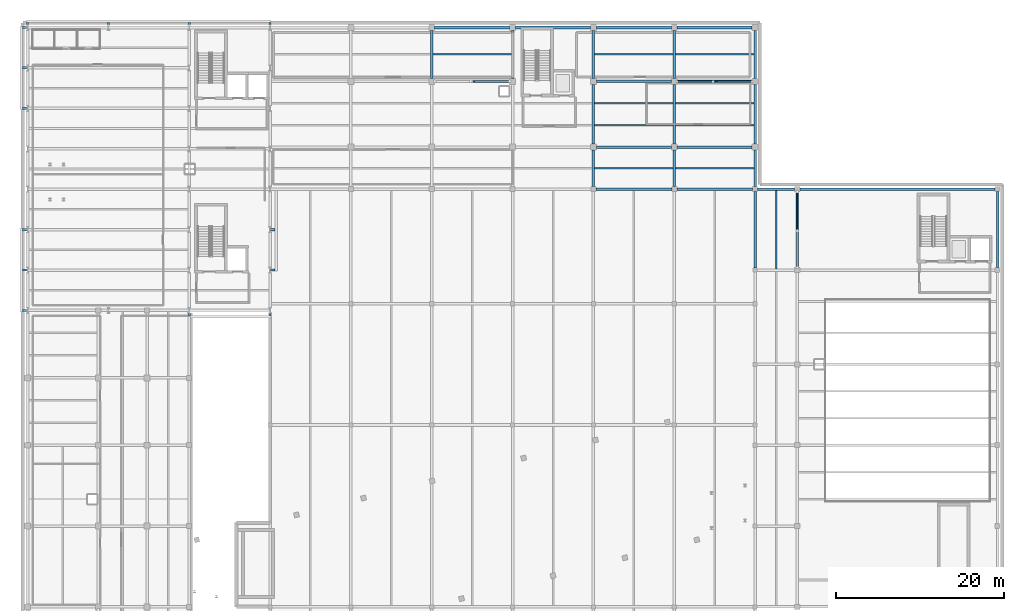
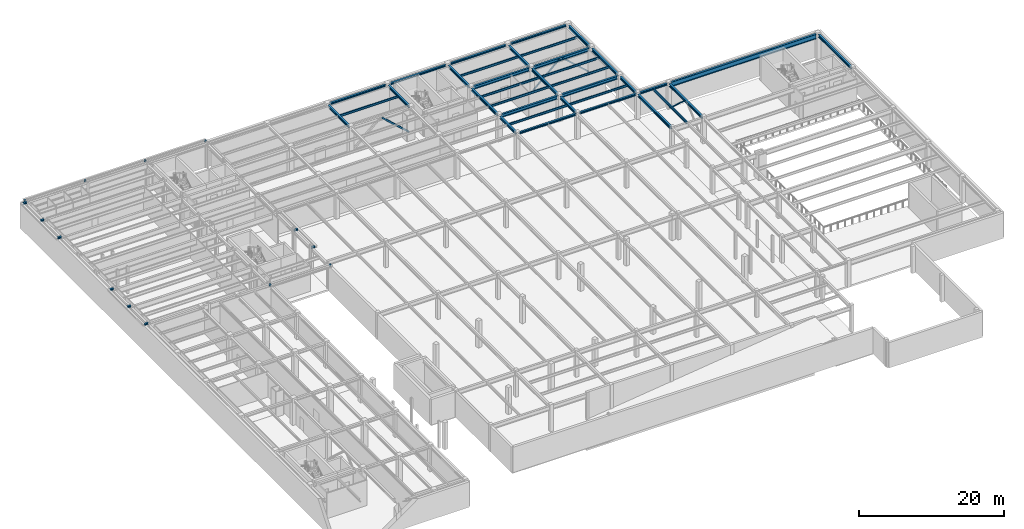
# One storey, part 14 of 32: 50 beams, 4 members.
"""IFC4 building model written with IfcOpenShell, lengths in metres."""

from ifc_helpers import new_model, si_unit, direction, frame, origin, origin_2d, place, context, subcontext, project, spatial, hollow_rectangle, hollow_circle, i_section, extrude, material, material_profile, profile_set, type_object, element, save


model = new_model("IFC4")

# Units and contexts
model_context = context("Model", 3, precision=1e-05, world=origin(), true_north=direction((0.0, 1.0)))
body_context = subcontext(model_context, "Body", "Model", "MODEL_VIEW")
ifc_project = project(units=[si_unit("LENGTHUNIT", "METRE"), si_unit("AREAUNIT", "SQUARE_METRE"), si_unit("VOLUMEUNIT", "CUBIC_METRE"), si_unit("PLANEANGLEUNIT", "RADIAN"), si_unit("MASSUNIT", "GRAM", prefix="KILO")], contexts=[model_context])

# Site, building, storey
site_placement = place(None, origin())
site = spatial("IfcSite", under=ifc_project, at=site_placement, CompositionType="ELEMENT")
building_placement = place(site_placement, origin())
building = spatial("IfcBuilding", under=site, at=building_placement, Name="Nordkorset Police Headquarters", CompositionType="ELEMENT")
storey_placement = place(building_placement, frame((0.0, 0.0, -4.550048828125)))
storey = spatial("IfcBuildingStorey", under=building, at=storey_placement, Name="B01", CompositionType="ELEMENT", Elevation=-4.550048828125)

# Beams
ifc_material_1 = material(Name="Steel S355J2", Category="steel")
ifc_material_profile_1 = material_profile(ifc_material_1, i_section(OverallWidth=0.169921875, OverallDepth=0.360107421875, WebThickness=0.008056640625, FlangeThickness=0.0126953125, FilletRadius=0.01806640625, at=origin_2d()), Name="IPE 360")
ifc_profile_set_1 = profile_set([ifc_material_profile_1], Name="Steel S355J2")
beam_type_1 = type_object("IfcBeamType", Name="Beam_IPE_360", PredefinedType="BEAM", material=ifc_profile_set_1)
beam_1_placement = place(storey_placement, frame((48.14990234375, 113.60009765625, 4.10009765625), z_axis=(1.0, 0.0, 0.0), x_axis=(0.0, 1.0, 0.0)))
element("IfcBeam", 1, at=beam_1_placement, inside=storey, type_object=beam_type_1, Name="Composite Floor Beam V2 B01 2-2-1", PredefinedType="BEAM", context=body_context, shape_type="SweptSolid", body=[
    extrude(i_section(OverallWidth=0.169921875, OverallDepth=0.360107421875, WebThickness=0.008056640625, FlangeThickness=0.0126953125, FilletRadius=0.01806640625, at=origin_2d()), origin(), (0.0, 0.0, 1.0), 9.300048828125),
])
for number, where, z_axis, x_axis, name in (
    (2, (67.35009765625, 100.10009765625, 4.10009765625), (1.0, 0.0, 0.0), (0.0, 1.0, 0.0), "Composite Floor Beam V2 B01 4-0-1"),
    (3, (67.35009765625, 105.199951171875, 4.10009765625), (1.0, 0.0, 0.0), (0.0, 1.0, 0.0), "Composite Floor Beam V2 B01 4-1-1"),
    (4, (67.35009765625, 107.800048828125, 4.10009765625), (1.0, 0.0, 0.0), (0.0, 1.0, 0.0), "Composite Floor Beam V2 B01 4-1-2"),
    (5, (67.35009765625, 113.60009765625, 4.10009765625), (1.0, 0.0, 0.0), (0.0, 1.0, 0.0), "Composite Floor Beam V2 B01 4-2-1"),
):
    element("IfcBeam", number, at=place(storey_placement, frame(where, z_axis=z_axis, x_axis=x_axis)), inside=storey, type_object=beam_type_1, Name=name, PredefinedType="BEAM", context=body_context, shape_type="SweptSolid", body=[
        extrude(i_section(OverallWidth=0.169921875, OverallDepth=0.360107421875, WebThickness=0.008056640625, FlangeThickness=0.0126953125, FilletRadius=0.01806640625, at=origin_2d()), origin(), (0.0, 0.0, 1.0), 9.2998046875),
    ])
for number, where, z_axis, x_axis, name in (
    (6, (76.949951171875, 100.10009765625, 4.10009765625), (1.0, 0.0, 0.0), (0.0, 1.0, 0.0), "Composite Floor Beam V2 B01 5-0-1"),
    (7, (76.949951171875, 105.199951171875, 4.10009765625), (1.0, 0.0, 0.0), (0.0, 1.0, 0.0), "Composite Floor Beam V2 B01 5-1-1"),
    (8, (76.949951171875, 107.800048828125, 4.10009765625), (1.0, 0.0, 0.0), (0.0, 1.0, 0.0), "Composite Floor Beam V2 B01 5-1-2"),
    (9, (76.949951171875, 113.60009765625, 4.10009765625), (1.0, 0.0, 0.0), (0.0, 1.0, 0.0), "Composite Floor Beam V2 B01 5-2-1"),
):
    element("IfcBeam", number, at=place(storey_placement, frame(where, z_axis=z_axis, x_axis=x_axis)), inside=storey, type_object=beam_type_1, Name=name, PredefinedType="BEAM", context=body_context, shape_type="SweptSolid", body=[
        extrude(i_section(OverallWidth=0.169921875, OverallDepth=0.360107421875, WebThickness=0.008056640625, FlangeThickness=0.0126953125, FilletRadius=0.01806640625, at=origin_2d()), origin(), (0.0, 0.0, 1.0), 9.300048828125),
    ])
ifc_material_2 = material(Name="Steel S355J2", Category="steel")
ifc_material_profile_2 = material_profile(ifc_material_2, i_section(OverallWidth=0.18994140625, OverallDepth=0.449951171875, WebThickness=0.009521484375, FlangeThickness=0.0146484375, FilletRadius=0.02099609375, at=origin_2d()), Name="IPE 450")
ifc_profile_set_2 = profile_set([ifc_material_profile_2], Name="Steel S355J2")
beam_type_2 = type_object("IfcBeamType", Name="Beam_IPE_450", PredefinedType="BEAM", material=ifc_profile_set_2)
beam_2_placement = place(storey_placement, frame((88.89990234375, 88.14990234375, 4.054931640625), z_axis=(0.0, 1.0, 0.0), x_axis=(-1.0, 0.0, 0.0)))
element("IfcBeam", 10, at=beam_2_placement, inside=storey, type_object=beam_type_2, Name="Composite Floor Beam V5 B01 0-4-1", PredefinedType="BEAM", context=body_context, shape_type="SweptSolid", body=[
    extrude(i_section(OverallWidth=0.18994140625, OverallDepth=0.449951171875, WebThickness=0.009521484375, FlangeThickness=0.0146484375, FilletRadius=0.02099609375, at=origin_2d()), origin(), (0.0, 0.0, 1.0), 9.300048828125),
])

# Members
ifc_material_3 = material(Name="Steel S355J2", Category="steel")
ifc_material_profile_3 = material_profile(ifc_material_3, hollow_circle(Radius=0.109619140625, WallThickness=0.010009765625, at=origin_2d()), Name="CHS 219.1x10")
ifc_profile_set_3 = profile_set([ifc_material_profile_3], Name="Steel S355J2")
member_type_1 = type_object("IfcMemberType", Name="Brace_CHS_219.1x10", PredefinedType="BRACE", material=ifc_profile_set_3)
member_1_placement = place(storey_placement, frame((91.39990234375, 97.300048828125, 0.199951171875), z_axis=(0.0, -0.745688620478, 0.66629459047), x_axis=(1.0, 0.0, 0.0)))
element("IfcMember", 11, at=member_1_placement, inside=storey, type_object=member_type_1, Name="Lateral Chevron Brace BF-V5-A B01 D2", PredefinedType="BRACE", context=body_context, shape_type="SweptSolid", body=[
    extrude(hollow_circle(Radius=0.109619140625, WallThickness=0.010009765625, at=origin_2d()), origin(), (0.0, 0.0, 1.0), 5.79345703125),
])
ifc_material_4 = material(Name="Steel S355J2", Category="steel")
ifc_material_profile_4 = material_profile(ifc_material_4, hollow_rectangle(XDim=0.199951171875, YDim=0.199951171875, WallThickness=0.010009765625, InnerFilletRadius=0.010009765625, OuterFilletRadius=0.02001953125, at=origin_2d()), Name="SHS 200x200x10")
ifc_profile_set_4 = profile_set([ifc_material_profile_4], Name="Steel S355J2")
member_type_2 = type_object("IfcMemberType", Name="Brace_SHS_200x200x10", PredefinedType="BRACE", material=ifc_profile_set_4)
for number, where, z_axis, x_axis, name in (
    (12, (77.14990234375, 110.39990234375, 0.199951171875), (0.741816057478, 0.0, 0.670603412509), (0.0, 1.0, 0.0), "Lateral Chevron Brace BF-V2-B B01 D1"),
    (13, (86.050048828125, 110.39990234375, 0.199951171875), (-0.741816057478, 0.0, 0.670603412509), (0.0, -1.0, 0.0), "Lateral Chevron Brace BF-V2-B B01 D2"),
):
    element("IfcMember", number, at=place(storey_placement, frame(where, z_axis=z_axis, x_axis=x_axis)), inside=storey, type_object=member_type_2, Name=name, PredefinedType="BRACE", context=body_context, shape_type="SweptSolid", body=[
        extrude(hollow_rectangle(XDim=0.199951171875, YDim=0.199951171875, WallThickness=0.010009765625, InnerFilletRadius=0.010009765625, OuterFilletRadius=0.02001953125, at=origin_2d()), origin(), (0.0, 0.0, 1.0), 5.756103515625),
    ])
ifc_material_5 = material(Name="Steel S355J2", Category="steel")
ifc_material_profile_5 = material_profile(ifc_material_5, hollow_rectangle(XDim=0.25, YDim=0.25, WallThickness=0.012451171875, InnerFilletRadius=0.012451171875, OuterFilletRadius=0.02490234375, at=origin_2d()), Name="SHS 250x250x12.5")
ifc_profile_set_5 = profile_set([ifc_material_profile_5], Name="Steel S355J2")
member_type_3 = type_object("IfcMemberType", Name="Brace_SHS_250x250x12.5", PredefinedType="BRACE", material=ifc_profile_set_5)
member_2_placement = place(storey_placement, frame((57.25, 110.39990234375, 0.199951171875), z_axis=(-0.741816057478, 0.0, 0.670603412509), x_axis=(0.0, -1.0, 0.0)))
element("IfcMember", 14, at=member_2_placement, inside=storey, type_object=member_type_3, Name="Lateral Chevron Brace BF-V2-A B01 D2", PredefinedType="BRACE", context=body_context, shape_type="SweptSolid", body=[
    extrude(hollow_rectangle(XDim=0.25, YDim=0.25, WallThickness=0.012451171875, InnerFilletRadius=0.012451171875, OuterFilletRadius=0.02490234375, at=origin_2d()), origin(), (0.0, 0.0, 1.0), 5.756103515625),
])

# Beams
ifc_material_6 = material(Name="Steel S355J2", Category="steel")
ifc_material_profile_6 = material_profile(ifc_material_6, i_section(OverallWidth=0.300048828125, OverallDepth=0.43994140625, WebThickness=0.011474609375, FlangeThickness=0.02099609375, FilletRadius=0.027099609375, at=origin_2d()), Name="HEA 450")
ifc_profile_set_6 = profile_set([ifc_material_profile_6], Name="Steel S355J2")
beam_type_3 = type_object("IfcBeamType", Name="Girder_HEA_450", PredefinedType="USERDEFINED", material=ifc_profile_set_6)
for number, where, z_axis, x_axis, name in (
    (15, (48.0, 110.75, 4.06005859375), (0.0, 1.0, 0.0), (-1.0, 0.0, 0.0), "Girder V2 B01 GY-2-2"),
    (16, (57.60009765625, 110.75, 4.06005859375), (0.0, 1.0, 0.0), (-1.0, 0.0, 0.0), "Girder V2 B01 GY-3-2"),
):
    element("IfcBeam", number, at=place(storey_placement, frame(where, z_axis=z_axis, x_axis=x_axis)), inside=storey, type_object=beam_type_3, Name=name, ObjectType="GIRDER", PredefinedType="USERDEFINED", context=body_context, shape_type="SweptSolid", body=[
        extrude(i_section(OverallWidth=0.300048828125, OverallDepth=0.43994140625, WebThickness=0.011474609375, FlangeThickness=0.02099609375, FilletRadius=0.027099609375, at=origin_2d()), origin(), (0.0, 0.0, 1.0), 5.699951171875),
    ])
beam_3_placement = place(storey_placement, frame((67.199951171875, 97.89990234375, 4.06005859375), z_axis=(0.0, 1.0, 0.0), x_axis=(-1.0, 0.0, 0.0)))
element("IfcBeam", 17, at=beam_3_placement, inside=storey, type_object=beam_type_3, Name="Girder V2 B01 GY-4-0", ObjectType="GIRDER", PredefinedType="USERDEFINED", context=body_context, shape_type="SweptSolid", body=[
    extrude(i_section(OverallWidth=0.300048828125, OverallDepth=0.43994140625, WebThickness=0.011474609375, FlangeThickness=0.02099609375, FilletRadius=0.027099609375, at=origin_2d()), origin(), (0.0, 0.0, 1.0), 4.35009765625),
])
beam_4_placement = place(storey_placement, frame((67.199951171875, 102.949951171875, 4.06005859375), z_axis=(0.0, 1.0, 0.0), x_axis=(-1.0, 0.0, 0.0)))
element("IfcBeam", 18, at=beam_4_placement, inside=storey, type_object=beam_type_3, Name="Girder V2 B01 GY-4-1", ObjectType="GIRDER", PredefinedType="USERDEFINED", context=body_context, shape_type="SweptSolid", body=[
    extrude(i_section(OverallWidth=0.300048828125, OverallDepth=0.43994140625, WebThickness=0.011474609375, FlangeThickness=0.02099609375, FilletRadius=0.027099609375, at=origin_2d()), origin(), (0.0, 0.0, 1.0), 7.10009765625),
])
beam_5_placement = place(storey_placement, frame((67.199951171875, 110.75, 4.06005859375), z_axis=(0.0, 1.0, 0.0), x_axis=(-1.0, 0.0, 0.0)))
element("IfcBeam", 19, at=beam_5_placement, inside=storey, type_object=beam_type_3, Name="Girder V2 B01 GY-4-2", ObjectType="GIRDER", PredefinedType="USERDEFINED", context=body_context, shape_type="SweptSolid", body=[
    extrude(i_section(OverallWidth=0.300048828125, OverallDepth=0.43994140625, WebThickness=0.011474609375, FlangeThickness=0.02099609375, FilletRadius=0.027099609375, at=origin_2d()), origin(), (0.0, 0.0, 1.0), 5.699951171875),
])
beam_6_placement = place(storey_placement, frame((76.800048828125, 97.89990234375, 4.06005859375), z_axis=(0.0, 1.0, 0.0), x_axis=(-1.0, 0.0, 0.0)))
element("IfcBeam", 20, at=beam_6_placement, inside=storey, type_object=beam_type_3, Name="Girder V2 B01 GY-5-0", ObjectType="GIRDER", PredefinedType="USERDEFINED", context=body_context, shape_type="SweptSolid", body=[
    extrude(i_section(OverallWidth=0.300048828125, OverallDepth=0.43994140625, WebThickness=0.011474609375, FlangeThickness=0.02099609375, FilletRadius=0.027099609375, at=origin_2d()), origin(), (0.0, 0.0, 1.0), 4.35009765625),
])
beam_7_placement = place(storey_placement, frame((76.800048828125, 102.949951171875, 4.06005859375), z_axis=(0.0, 1.0, 0.0), x_axis=(-1.0, 0.0, 0.0)))
element("IfcBeam", 21, at=beam_7_placement, inside=storey, type_object=beam_type_3, Name="Girder V2 B01 GY-5-1", ObjectType="GIRDER", PredefinedType="USERDEFINED", context=body_context, shape_type="SweptSolid", body=[
    extrude(i_section(OverallWidth=0.300048828125, OverallDepth=0.43994140625, WebThickness=0.011474609375, FlangeThickness=0.02099609375, FilletRadius=0.027099609375, at=origin_2d()), origin(), (0.0, 0.0, 1.0), 7.10009765625),
])
beam_8_placement = place(storey_placement, frame((76.800048828125, 110.75, 4.06005859375), z_axis=(0.0, 1.0, 0.0), x_axis=(-1.0, 0.0, 0.0)))
element("IfcBeam", 22, at=beam_8_placement, inside=storey, type_object=beam_type_3, Name="Girder V2 B01 GY-5-2", ObjectType="GIRDER", PredefinedType="USERDEFINED", context=body_context, shape_type="SweptSolid", body=[
    extrude(i_section(OverallWidth=0.300048828125, OverallDepth=0.43994140625, WebThickness=0.011474609375, FlangeThickness=0.02099609375, FilletRadius=0.027099609375, at=origin_2d()), origin(), (0.0, 0.0, 1.0), 5.699951171875),
])
beam_9_placement = place(storey_placement, frame((86.39990234375, 97.89990234375, 4.06005859375), z_axis=(0.0, 1.0, 0.0), x_axis=(-1.0, 0.0, 0.0)))
element("IfcBeam", 23, at=beam_9_placement, inside=storey, type_object=beam_type_3, Name="Girder V2 B01 GY-6-0", ObjectType="GIRDER", PredefinedType="USERDEFINED", context=body_context, shape_type="SweptSolid", body=[
    extrude(i_section(OverallWidth=0.300048828125, OverallDepth=0.43994140625, WebThickness=0.011474609375, FlangeThickness=0.02099609375, FilletRadius=0.027099609375, at=origin_2d()), origin(), (0.0, 0.0, 1.0), 4.35009765625),
])
beam_10_placement = place(storey_placement, frame((86.39990234375, 102.949951171875, 4.06005859375), z_axis=(0.0, 1.0, 0.0), x_axis=(-1.0, 0.0, 0.0)))
element("IfcBeam", 24, at=beam_10_placement, inside=storey, type_object=beam_type_3, Name="Girder V2 B01 GY-6-1", ObjectType="GIRDER", PredefinedType="USERDEFINED", context=body_context, shape_type="SweptSolid", body=[
    extrude(i_section(OverallWidth=0.300048828125, OverallDepth=0.43994140625, WebThickness=0.011474609375, FlangeThickness=0.02099609375, FilletRadius=0.027099609375, at=origin_2d()), origin(), (0.0, 0.0, 1.0), 7.10009765625),
])
beam_11_placement = place(storey_placement, frame((86.39990234375, 110.75, 4.06005859375), z_axis=(0.0, 1.0, 0.0), x_axis=(-1.0, 0.0, 0.0)))
element("IfcBeam", 25, at=beam_11_placement, inside=storey, type_object=beam_type_3, Name="Girder V2 B01 GY-6-2", ObjectType="GIRDER", PredefinedType="USERDEFINED", context=body_context, shape_type="SweptSolid", body=[
    extrude(i_section(OverallWidth=0.300048828125, OverallDepth=0.43994140625, WebThickness=0.011474609375, FlangeThickness=0.02099609375, FilletRadius=0.027099609375, at=origin_2d()), origin(), (0.0, 0.0, 1.0), 5.699951171875),
])
beam_12_placement = place(storey_placement, frame((86.39990234375, 88.25, 4.06005859375), z_axis=(0.0, 1.0, 0.0), x_axis=(-1.0, 0.0, 0.0)))
element("IfcBeam", 26, at=beam_12_placement, inside=storey, type_object=beam_type_3, Name="Girder V5 B01 GY-0-4", ObjectType="GIRDER", PredefinedType="USERDEFINED", context=body_context, shape_type="SweptSolid", body=[
    extrude(i_section(OverallWidth=0.300048828125, OverallDepth=0.43994140625, WebThickness=0.011474609375, FlangeThickness=0.02099609375, FilletRadius=0.027099609375, at=origin_2d()), origin(), (0.0, 0.0, 1.0), 9.050048828125),
])
for number, where, z_axis, x_axis, name in (
    (27, (91.39990234375, 88.300048828125, 4.06005859375), (0.0, 1.0, 0.0), (-1.0, 0.0, 0.0), "Girder V5 B01 GY-1-4"),
    (28, (115.199951171875, 88.300048828125, 4.06005859375), (0.0, 1.0, 0.0), (-1.0, 0.0, 0.0), "Girder V5 B01 GY-2-4"),
):
    element("IfcBeam", number, at=place(storey_placement, frame(where, z_axis=z_axis, x_axis=x_axis)), inside=storey, type_object=beam_type_3, Name=name, ObjectType="GIRDER", PredefinedType="USERDEFINED", context=body_context, shape_type="SweptSolid", body=[
        extrude(i_section(OverallWidth=0.300048828125, OverallDepth=0.43994140625, WebThickness=0.011474609375, FlangeThickness=0.02099609375, FilletRadius=0.027099609375, at=origin_2d()), origin(), (0.0, 0.0, 1.0), 9.0),
    ])
ifc_material_7 = material(Name="Steel S355J2", Category="steel")
ifc_material_profile_7 = material_profile(ifc_material_7, i_section(OverallWidth=0.300048828125, OverallDepth=0.5400390625, WebThickness=0.012451171875, FlangeThickness=0.02392578125, FilletRadius=0.027099609375, at=origin_2d()), Name="HEA 550")
ifc_profile_set_7 = profile_set([ifc_material_profile_7], Name="Steel S355J2")
beam_type_4 = type_object("IfcBeamType", Name="Girder_HEA_550", PredefinedType="USERDEFINED", material=ifc_profile_set_7)
beam_13_placement = place(storey_placement, frame((67.550048828125, 102.60009765625, 4.010009765625), z_axis=(1.0, 0.0, 0.0), x_axis=(0.0, 1.0, 0.0)))
element("IfcBeam", 29, at=beam_13_placement, inside=storey, type_object=beam_type_4, Name="Girder V2 B01 GX-1-4", ObjectType="GIRDER", PredefinedType="USERDEFINED", context=body_context, shape_type="SweptSolid", body=[
    extrude(i_section(OverallWidth=0.300048828125, OverallDepth=0.5400390625, WebThickness=0.012451171875, FlangeThickness=0.02392578125, FilletRadius=0.027099609375, at=origin_2d()), origin(), (0.0, 0.0, 1.0), 8.89990234375),
])
beam_14_placement = place(storey_placement, frame((77.14990234375, 102.60009765625, 4.010009765625), z_axis=(1.0, 0.0, 0.0), x_axis=(0.0, 1.0, 0.0)))
element("IfcBeam", 30, at=beam_14_placement, inside=storey, type_object=beam_type_4, Name="Girder V2 B01 GX-1-5", ObjectType="GIRDER", PredefinedType="USERDEFINED", context=body_context, shape_type="SweptSolid", body=[
    extrude(i_section(OverallWidth=0.300048828125, OverallDepth=0.5400390625, WebThickness=0.012451171875, FlangeThickness=0.02392578125, FilletRadius=0.027099609375, at=origin_2d()), origin(), (0.0, 0.0, 1.0), 8.900146484375),
])
beam_15_placement = place(storey_placement, frame((67.550048828125, 110.39990234375, 4.010009765625), z_axis=(1.0, 0.0, 0.0), x_axis=(0.0, 1.0, 0.0)))
element("IfcBeam", 31, at=beam_15_placement, inside=storey, type_object=beam_type_4, Name="Girder V2 B01 GX-2-4", ObjectType="GIRDER", PredefinedType="USERDEFINED", context=body_context, shape_type="SweptSolid", body=[
    extrude(i_section(OverallWidth=0.300048828125, OverallDepth=0.5400390625, WebThickness=0.012451171875, FlangeThickness=0.02392578125, FilletRadius=0.027099609375, at=origin_2d()), origin(), (0.0, 0.0, 1.0), 8.89990234375),
])
beam_16_placement = place(storey_placement, frame((77.14990234375, 110.39990234375, 4.010009765625), z_axis=(1.0, 0.0, 0.0), x_axis=(0.0, 1.0, 0.0)))
element("IfcBeam", 32, at=beam_16_placement, inside=storey, type_object=beam_type_4, Name="Girder V2 B01 GX-2-5", ObjectType="GIRDER", PredefinedType="USERDEFINED", context=body_context, shape_type="SweptSolid", body=[
    extrude(i_section(OverallWidth=0.300048828125, OverallDepth=0.5400390625, WebThickness=0.012451171875, FlangeThickness=0.02392578125, FilletRadius=0.027099609375, at=origin_2d()), origin(), (0.0, 0.0, 1.0), 8.900146484375),
])
ifc_material_8 = material(Name="Steel S355J2", Category="steel")
ifc_material_profile_8 = material_profile(ifc_material_8, i_section(OverallWidth=0.300048828125, OverallDepth=0.800048828125, WebThickness=0.017578125, FlangeThickness=0.032958984375, FilletRadius=0.030029296875, at=origin_2d()), Name="HEB 800")
ifc_profile_set_8 = profile_set([ifc_material_profile_8], Name="Steel S355J2")
beam_type_5 = type_object("IfcBeamType", Name="Girder_HEB_800", PredefinedType="USERDEFINED", material=ifc_profile_set_8)
beam_17_placement = place(storey_placement, frame((91.699951171875, 97.60009765625, 3.880126953125), z_axis=(1.0, 0.0, 0.0), x_axis=(0.0, 1.0, 0.0)))
element("IfcBeam", 33, at=beam_17_placement, inside=storey, type_object=beam_type_5, Name="Girder V5 B01 GX-5-1", ObjectType="GIRDER", PredefinedType="USERDEFINED", context=body_context, shape_type="SweptSolid", body=[
    extrude(i_section(OverallWidth=0.300048828125, OverallDepth=0.800048828125, WebThickness=0.017578125, FlangeThickness=0.032958984375, FilletRadius=0.030029296875, at=origin_2d()), origin(), (0.0, 0.0, 1.0), 23.199951171875),
])
ifc_material_9 = material(Name="Steel S355J2", Category="steel")
ifc_material_profile_9 = material_profile(ifc_material_9, i_section(OverallWidth=0.280029296875, OverallDepth=0.27001953125, WebThickness=0.008056640625, FlangeThickness=0.012939453125, FilletRadius=0.02392578125, at=origin_2d()), Name="HEA 280")
ifc_profile_set_9 = profile_set([ifc_material_profile_9], Name="Steel S355J2")
beam_type_6 = type_object("IfcBeamType", Name="Spandrel_HEA_280", PredefinedType="SPANDREL", material=ifc_profile_set_9)
for number, where, z_axis, x_axis, name in (
    (34, (-0.008056640625, 83.199951171875, 4.41015625), (-1.0, 0.0, 0.0), (0.0, -1.0, 0.0), "Plinth Fin Outrigger Beam West 1"),
    (35, (-0.008056640625, 88.0, 4.41015625), (-1.0, 0.0, 0.0), (0.0, -1.0, 0.0), "Plinth Fin Outrigger Beam West 2"),
    (36, (-0.008056640625, 92.800048828125, 4.41015625), (-1.0, 0.0, 0.0), (0.0, -1.0, 0.0), "Plinth Fin Outrigger Beam West 3"),
    (37, (-0.008056640625, 107.199951171875, 4.41015625), (-1.0, 0.0, 0.0), (0.0, -1.0, 0.0), "Plinth Fin Outrigger Beam West 4"),
    (38, (-0.008056640625, 112.0, 4.41015625), (-1.0, 0.0, 0.0), (0.0, -1.0, 0.0), "Plinth Fin Outrigger Beam West 5"),
    (39, (-0.008056640625, 116.800048828125, 4.41015625), (-1.0, 0.0, 0.0), (0.0, -1.0, 0.0), "Plinth Fin Outrigger Beam West 6"),
):
    element("IfcBeam", number, at=place(storey_placement, frame(where, z_axis=z_axis, x_axis=x_axis)), inside=storey, type_object=beam_type_6, Name=name, PredefinedType="SPANDREL", context=body_context, shape_type="SweptSolid", body=[
        extrude(i_section(OverallWidth=0.280029296875, OverallDepth=0.27001953125, WebThickness=0.008056640625, FlangeThickness=0.012939453125, FilletRadius=0.02392578125, at=origin_2d()), origin(), (0.0, 0.0, 1.0), 0.60205078125),
    ])
for number, where, z_axis, x_axis, name in (
    (40, (28.80810546875, 88.0, 4.135009765625), (1.0, 0.0, 0.0), (0.0, 1.0, 0.0), "Plinth Fin Outrigger Beam East 1"),
    (41, (28.80810546875, 92.800048828125, 4.135009765625), (1.0, 0.0, 0.0), (0.0, 1.0, 0.0), "Plinth Fin Outrigger Beam East 2"),
):
    element("IfcBeam", number, at=place(storey_placement, frame(where, z_axis=z_axis, x_axis=x_axis)), inside=storey, type_object=beam_type_6, Name=name, PredefinedType="SPANDREL", context=body_context, shape_type="SweptSolid", body=[
        extrude(i_section(OverallWidth=0.280029296875, OverallDepth=0.27001953125, WebThickness=0.008056640625, FlangeThickness=0.012939453125, FilletRadius=0.02392578125, at=origin_2d()), origin(), (0.0, 0.0, 1.0), 0.601806640625),
    ])
for number, where, z_axis, x_axis, name in (
    (42, (0.0, 117.1240234375, 4.41015625), (0.0, 1.0, 0.0), (-1.0, 0.0, 0.0), "Plinth Fin Outrigger Beam North 1"),
    (43, (9.60009765625, 117.1240234375, 4.41015625), (0.0, 1.0, 0.0), (-1.0, 0.0, 0.0), "Plinth Fin Outrigger Beam North 2"),
    (44, (19.199951171875, 117.1240234375, 4.41015625), (0.0, 1.0, 0.0), (-1.0, 0.0, 0.0), "Plinth Fin Outrigger Beam North 3"),
    (45, (28.800048828125, 117.1240234375, 4.41015625), (0.0, 1.0, 0.0), (-1.0, 0.0, 0.0), "Plinth Fin Outrigger Beam North 4"),
    (46, (19.199951171875, 82.8759765625, 4.41015625), (0.0, -1.0, 0.0), (1.0, 0.0, 0.0), "Plinth Fin Outrigger Beam South 1"),
    (47, (28.800048828125, 82.8759765625, 4.41015625), (0.0, -1.0, 0.0), (1.0, 0.0, 0.0), "Plinth Fin Outrigger Beam South 2"),
):
    element("IfcBeam", number, at=place(storey_placement, frame(where, z_axis=z_axis, x_axis=x_axis)), inside=storey, type_object=beam_type_6, Name=name, PredefinedType="SPANDREL", context=body_context, shape_type="SweptSolid", body=[
        extrude(i_section(OverallWidth=0.280029296875, OverallDepth=0.27001953125, WebThickness=0.008056640625, FlangeThickness=0.012939453125, FilletRadius=0.02392578125, at=origin_2d()), origin(), (0.0, 0.0, 1.0), 0.285888671875),
    ])
ifc_material_10 = material(Name="Steel S355J2", Category="steel")
ifc_material_profile_10 = material_profile(ifc_material_10, i_section(OverallWidth=0.300048828125, OverallDepth=0.31005859375, WebThickness=0.009033203125, FlangeThickness=0.015380859375, FilletRadius=0.027099609375, at=origin_2d()), Name="HEA 320")
ifc_profile_set_10 = profile_set([ifc_material_profile_10], Name="Steel S355J2")
beam_type_7 = type_object("IfcBeamType", Name="Spandrel_HEA_320", PredefinedType="SPANDREL", material=ifc_profile_set_10)
for number, where, z_axis, x_axis, name in (
    (48, (67.5, 97.60009765625, 4.125), (1.0, 0.0, 0.0), (0.0, 1.0, 0.0), "Girder V2 B01 GX-0-4"),
    (49, (77.10009765625, 97.60009765625, 4.125), (1.0, 0.0, 0.0), (0.0, 1.0, 0.0), "Girder V2 B01 GX-0-5"),
):
    element("IfcBeam", number, at=place(storey_placement, frame(where, z_axis=z_axis, x_axis=x_axis)), inside=storey, type_object=beam_type_7, Name=name, PredefinedType="SPANDREL", context=body_context, shape_type="SweptSolid", body=[
        extrude(i_section(OverallWidth=0.300048828125, OverallDepth=0.31005859375, WebThickness=0.009033203125, FlangeThickness=0.015380859375, FilletRadius=0.027099609375, at=origin_2d()), origin(), (0.0, 0.0, 1.0), 9.0),
    ])
beam_18_placement = place(storey_placement, frame((48.35009765625, 116.800048828125, 4.125), z_axis=(1.0, 0.0, 0.0), x_axis=(0.0, 1.0, 0.0)))
element("IfcBeam", 50, at=beam_18_placement, inside=storey, type_object=beam_type_7, Name="Girder V2 B01 GX-3-2", PredefinedType="SPANDREL", context=body_context, shape_type="SweptSolid", body=[
    extrude(i_section(OverallWidth=0.300048828125, OverallDepth=0.31005859375, WebThickness=0.009033203125, FlangeThickness=0.015380859375, FilletRadius=0.027099609375, at=origin_2d()), origin(), (0.0, 0.0, 1.0), 8.89990234375),
])
beam_19_placement = place(storey_placement, frame((57.949951171875, 116.800048828125, 4.125), z_axis=(1.0, 0.0, 0.0), x_axis=(0.0, 1.0, 0.0)))
element("IfcBeam", 51, at=beam_19_placement, inside=storey, type_object=beam_type_7, Name="Girder V2 B01 GX-3-3", PredefinedType="SPANDREL", context=body_context, shape_type="SweptSolid", body=[
    extrude(i_section(OverallWidth=0.300048828125, OverallDepth=0.31005859375, WebThickness=0.009033203125, FlangeThickness=0.015380859375, FilletRadius=0.027099609375, at=origin_2d()), origin(), (0.0, 0.0, 1.0), 8.900146484375),
])
beam_20_placement = place(storey_placement, frame((67.550048828125, 116.800048828125, 4.125), z_axis=(1.0, 0.0, 0.0), x_axis=(0.0, 1.0, 0.0)))
element("IfcBeam", 52, at=beam_20_placement, inside=storey, type_object=beam_type_7, Name="Girder V2 B01 GX-3-4", PredefinedType="SPANDREL", context=body_context, shape_type="SweptSolid", body=[
    extrude(i_section(OverallWidth=0.300048828125, OverallDepth=0.31005859375, WebThickness=0.009033203125, FlangeThickness=0.015380859375, FilletRadius=0.027099609375, at=origin_2d()), origin(), (0.0, 0.0, 1.0), 8.89990234375),
])
beam_21_placement = place(storey_placement, frame((77.14990234375, 116.800048828125, 4.125), z_axis=(1.0, 0.0, 0.0), x_axis=(0.0, 1.0, 0.0)))
element("IfcBeam", 53, at=beam_21_placement, inside=storey, type_object=beam_type_7, Name="Girder V2 B01 GX-3-5", PredefinedType="SPANDREL", context=body_context, shape_type="SweptSolid", body=[
    extrude(i_section(OverallWidth=0.300048828125, OverallDepth=0.31005859375, WebThickness=0.009033203125, FlangeThickness=0.015380859375, FilletRadius=0.027099609375, at=origin_2d()), origin(), (0.0, 0.0, 1.0), 8.900146484375),
])
beam_22_placement = place(storey_placement, frame((86.699951171875, 97.60009765625, 4.125), z_axis=(1.0, 0.0, 0.0), x_axis=(0.0, 1.0, 0.0)))
element("IfcBeam", 54, at=beam_22_placement, inside=storey, type_object=beam_type_7, Name="Girder V5 B01 GX-5-0", PredefinedType="SPANDREL", context=body_context, shape_type="SweptSolid", body=[
    extrude(i_section(OverallWidth=0.300048828125, OverallDepth=0.31005859375, WebThickness=0.009033203125, FlangeThickness=0.015380859375, FilletRadius=0.027099609375, at=origin_2d()), origin(), (0.0, 0.0, 1.0), 4.400146484375),
])

save(model, "model.ifc")
